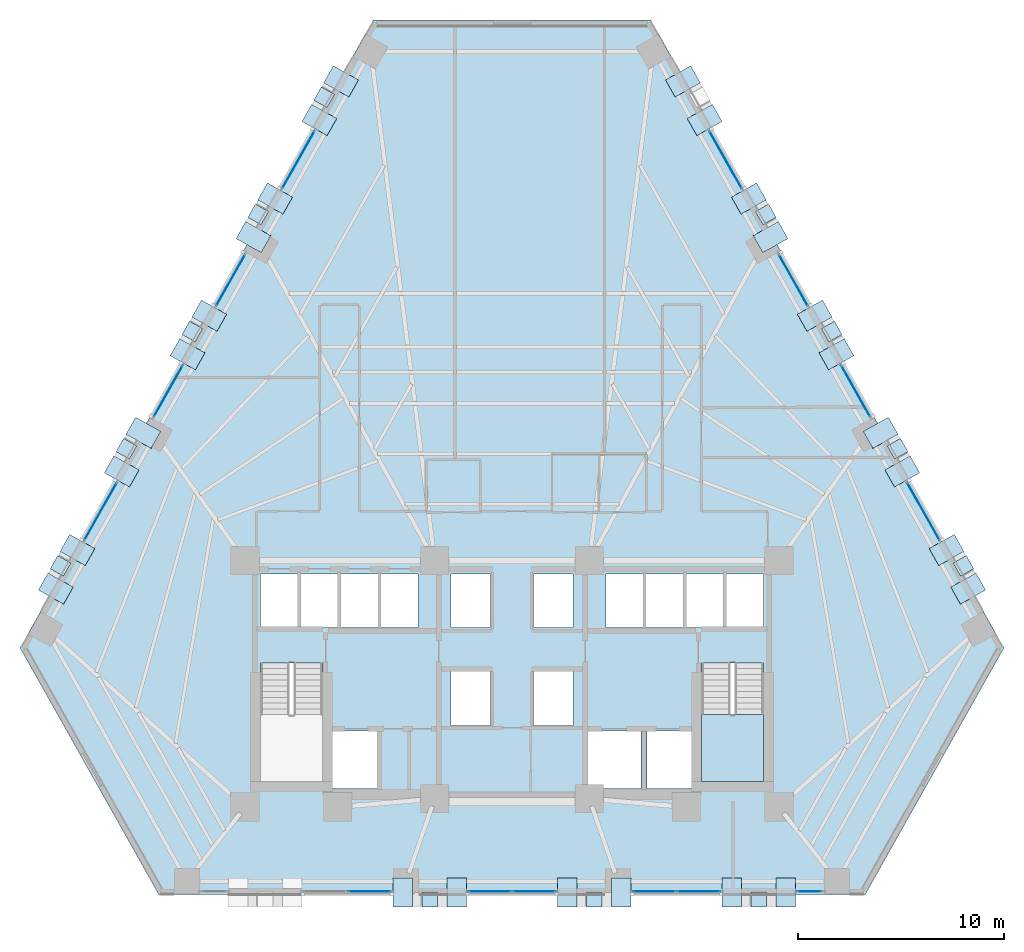
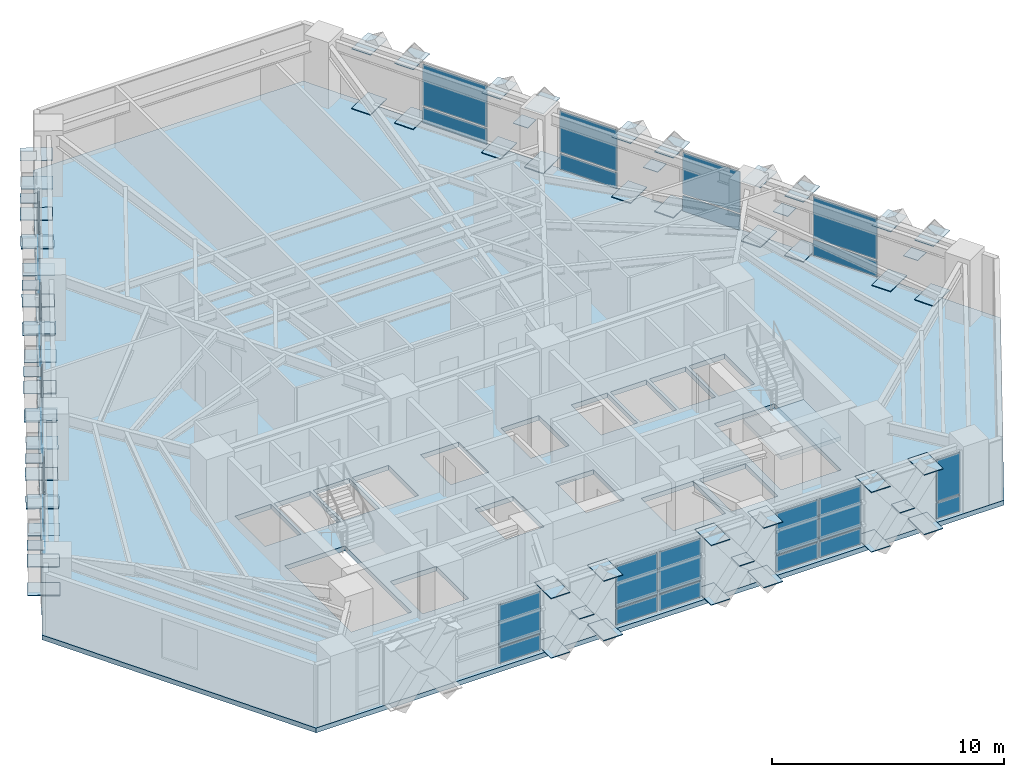
# One storey, part 6 of 13: 92 plates, 2 slabs, 13 elements without a shape of their own.
"""IFC4 building model written with IfcOpenShell, lengths in metres."""

import ifcopenshell
import ifcopenshell.guid

model = None  # the IFC model being written
_history = None  # IfcOwnerHistory: only IFC2X3 demands one
_inside = {}  # id of a spatial element -> (the spatial element, [elements in it])
_under = {}  # id of a project, library or spatial element -> (it, [spatial elements below it])
_declared = {}  # id of a project -> (the project, [libraries it declares])
_typed = {}  # id of a type object -> (the type object, [elements of that type])
_made_of = {}  # id of a material, layer set ... -> (it, [elements and type objects made of it])


def new_model(schema):
    """Start an empty IFC model of exactly this schema.

    Asked for "IFC4X3", IfcOpenShell would pick the latest addendum, in which some entities
    have other attributes; the version numbers below select the first issue.
    IFC2X3 requires an IfcOwnerHistory on every rooted entity: one is made here for all.
    """
    global model, _history
    if schema == "IFC4X3":
        model = ifcopenshell.file(schema_version=(4, 3, 0, 0))
    else:
        model = ifcopenshell.file(schema=schema)
    _inside.clear()
    _under.clear()
    _declared.clear()
    _typed.clear()
    _made_of.clear()
    _history = None
    if model.schema == "IFC2X3":
        org = make("IfcOrganization", Name="unknown")
        user = make(
            "IfcPersonAndOrganization",
            ThePerson=make("IfcPerson", FamilyName="unknown"),
            TheOrganization=org,
        )
        app = make(
            "IfcApplication",
            ApplicationDeveloper=org,
            Version="unknown",
            ApplicationFullName="unknown",
            ApplicationIdentifier="unknown",
        )
        _history = make(
            "IfcOwnerHistory",
            OwningUser=user,
            OwningApplication=app,
            ChangeAction="ADDED",
            CreationDate=0,
        )
    return model


def make(cls, **values):
    """One entity of the class cls with the attributes given. An attribute that is None is left unset."""
    return model.create_entity(
        cls, **{name: value for name, value in values.items() if value is not None}
    )


def rooted(cls, **values):
    """An entity with a GlobalId (a new one), such as an element, a storey or a relation."""
    return make(cls, GlobalId=ifcopenshell.guid.new(), OwnerHistory=_history, **values)


def si_unit(unit_type, name, prefix=None):
    """IfcSIUnit, for example si_unit("LENGTHUNIT", "METRE", prefix="MILLI")."""
    return make("IfcSIUnit", UnitType=unit_type, Prefix=prefix, Name=name)


def assignment(units):
    """IfcUnitAssignment: the units of a project."""
    return None if units is None else make("IfcUnitAssignment", Units=units)


def point(xyz):
    """IfcCartesianPoint."""
    return None if xyz is None else make("IfcCartesianPoint", Coordinates=xyz)


def direction(xyz):
    """IfcDirection."""
    return None if xyz is None else make("IfcDirection", DirectionRatios=xyz)


def frame(location, z_axis=None, x_axis=None):
    """IfcAxis2Placement3D, a coordinate frame: its origin and axes. An axis left out is left unset."""
    return make(
        "IfcAxis2Placement3D",
        Location=point(location),
        Axis=direction(z_axis),
        RefDirection=direction(x_axis),
    )


def frame_2d(location, x_axis=None):
    """IfcAxis2Placement2D, a coordinate frame in the plane: its origin and x axis."""
    return make(
        "IfcAxis2Placement2D", Location=point(location), RefDirection=direction(x_axis)
    )


def origin():
    """The frame at (0, 0, 0) with its axes left unset."""
    return frame((0.0, 0.0, 0.0))


def origin_2d():
    """The frame at (0, 0) in the plane with its x axis left unset."""
    return frame_2d((0.0, 0.0))


def place(relative_to, where):
    """IfcLocalPlacement: puts the frame where relative to a parent placement (None: the world)."""
    return make(
        "IfcLocalPlacement", PlacementRelTo=relative_to, RelativePlacement=where
    )


def context(
    kind, dimensions, precision=None, world=None, true_north=None, identifier=None
):
    """IfcGeometricRepresentationContext, for example the 3D "Model" context."""
    return make(
        "IfcGeometricRepresentationContext",
        ContextIdentifier=identifier,
        ContextType=kind,
        CoordinateSpaceDimension=dimensions,
        Precision=precision,
        WorldCoordinateSystem=world,
        TrueNorth=true_north,
    )


def subcontext(parent, identifier, kind, view, scale=None):
    """IfcGeometricRepresentationSubContext, for example "Body" below "Model"."""
    return make(
        "IfcGeometricRepresentationSubContext",
        ContextIdentifier=identifier,
        ContextType=kind,
        ParentContext=parent,
        TargetScale=scale,
        TargetView=view,
    )


def project(units=None, contexts=None):
    """IfcProject with its units and contexts."""
    return rooted(
        "IfcProject",
        Name="project",
        RepresentationContexts=contexts,
        UnitsInContext=assignment(units),
    )


def spatial(cls, under=None, at=None, **own):
    """A site, building, storey or space (cls), placed at a placement, below another one or the project."""
    s = rooted(cls, ObjectPlacement=at, **own)
    if under is not None:
        _under.setdefault(under.id(), (under, []))[1].append(s)
    return s


def polyline(points):
    """IfcPolyline through the points."""
    return make("IfcPolyline", Points=[point(p) for p in points])


def profile(cls, at=None, kind="AREA", **sizes):
    """A parametric profile (cls). Its sizes go by their IFC names, for example OverallWidth=200.0."""
    return make(cls, ProfileType=kind, Position=at, **sizes)


def rectangle(**sizes):
    """IfcRectangleProfileDef."""
    return profile("IfcRectangleProfileDef", **sizes)


def outline(outer, holes=None, kind="AREA"):
    """IfcArbitraryClosedProfileDef: a profile drawn as a closed curve; with holes, ...WithVoids."""
    if holes is None:
        return make("IfcArbitraryClosedProfileDef", ProfileType=kind, OuterCurve=outer)
    return make(
        "IfcArbitraryProfileDefWithVoids",
        ProfileType=kind,
        OuterCurve=outer,
        InnerCurves=holes,
    )


def extrude(swept, where, along, depth):
    """IfcExtrudedAreaSolid: the profile swept, set in the frame where, extruded along a direction by depth."""
    return make(
        "IfcExtrudedAreaSolid",
        SweptArea=swept,
        Position=where,
        ExtrudedDirection=direction(along),
        Depth=depth,
    )


def shape(context_of_items, identifier, shape_type, items):
    """IfcShapeRepresentation: the items that make up one representation, for example the "Body"."""
    return make(
        "IfcShapeRepresentation",
        ContextOfItems=context_of_items,
        RepresentationIdentifier=identifier,
        RepresentationType=shape_type,
        Items=items,
    )


def material(Name=None, Category=None):
    """IfcMaterial."""
    return make("IfcMaterial", Name=Name, Category=Category)


def layer(
    of_material, thickness, ventilated=None, Name=None, Category=None, Priority=None
):
    """IfcMaterialLayer: one layer of a wall or slab, of a material (None: an air gap)."""
    return make(
        "IfcMaterialLayer",
        Material=of_material,
        LayerThickness=thickness,
        IsVentilated=ventilated,
        Name=Name,
        Category=Category,
        Priority=Priority,
    )


def layer_set(layers, Name=None):
    """IfcMaterialLayerSet."""
    return make("IfcMaterialLayerSet", MaterialLayers=layers, LayerSetName=Name)


def made_of(thing, what):
    """Note that an element or type object is made of a material, layer set ...; save() writes the relation."""
    if what is not None:
        _made_of.setdefault(what.id(), (what, []))[1].append(thing)
    return thing


def type_object(cls, material=None, **own):
    """A type object (cls), such as IfcWallType, which elements share."""
    return made_of(rooted(cls, **own), material)


def element(
    cls,
    number,
    at=None,
    inside=None,
    cuts=None,
    type_object=None,
    material=None,
    context=None,
    identifier="Body",
    shape_type=None,
    held_by="IfcProductDefinitionShape",
    body=None,
    shapes=None,
    **own,
):
    """One element of the class cls, such as IfcWall. Its Tag is "e" and its number.

    at: its placement. inside: the storey or other place that contains it. cuts: it is an
    opening in that element (IfcRelVoidsElement). A single representation is given by context,
    identifier, shape_type and body (its items); several are given by shapes. held_by: the class
    of the entity that holds the representations. save() writes the other relations.
    """
    e = rooted(cls, Tag="e%d" % number, ObjectPlacement=at, **own)
    if body is not None:
        shapes = [shape(context, identifier, shape_type, body)]
    if shapes is not None:
        e.Representation = make(held_by, Representations=shapes)
    if inside is not None:
        _inside.setdefault(inside.id(), (inside, []))[1].append(e)
    if cuts is not None:
        rooted(
            "IfcRelVoidsElement", RelatingBuildingElement=cuts, RelatedOpeningElement=e
        )
    if type_object is not None:
        _typed.setdefault(type_object.id(), (type_object, []))[1].append(e)
    return made_of(e, material)


def aggregate(whole, parts):
    """IfcRelAggregates: a whole, such as a stair, and the parts it consists of."""
    return rooted("IfcRelAggregates", RelatingObject=whole, RelatedObjects=parts)


def save(model, path):
    """Write the relations noted so far, then the file.

    IfcRelAggregates (storeys below a building ...), IfcRelContainedInSpatialStructure (elements
    in a storey), IfcRelDefinesByType, IfcRelAssociatesMaterial and IfcRelDeclares: one each for
    every whole, place, type object, material and project.
    """
    for whole, parts in _under.values():
        aggregate(whole, parts)
    for where, things in _inside.values():
        rooted(
            "IfcRelContainedInSpatialStructure",
            RelatedElements=things,
            RelatingStructure=where,
        )
    for kind, things in _typed.values():
        rooted("IfcRelDefinesByType", RelatedObjects=things, RelatingType=kind)
    for what, things in _made_of.values():
        rooted("IfcRelAssociatesMaterial", RelatedObjects=things, RelatingMaterial=what)
    for by, libraries in _declared.values():
        rooted("IfcRelDeclares", RelatingContext=by, RelatedDefinitions=libraries)
    model.write(path)


model = new_model("IFC4")

# Units and contexts
model_context = context("Model", 3, precision=1e-05, world=origin(), true_north=direction((0.0, 1.0)))
body_context = subcontext(model_context, "Body", "Model", "MODEL_VIEW")
ifc_project = project(units=[si_unit("LENGTHUNIT", "METRE"), si_unit("AREAUNIT", "SQUARE_METRE"), si_unit("VOLUMEUNIT", "CUBIC_METRE"), si_unit("PLANEANGLEUNIT", "RADIAN"), si_unit("MASSUNIT", "GRAM", prefix="KILO")], contexts=[model_context])

# Site, building, storey
site_placement = place(None, origin())
site = spatial("IfcSite", under=ifc_project, at=site_placement, CompositionType="ELEMENT")
building_placement = place(site_placement, origin())
building = spatial("IfcBuilding", under=site, at=building_placement, Name="Quenlor Broadcast Tower", CompositionType="ELEMENT")
storey_placement = place(building_placement, frame((0.0, 0.0, 62.60009765625)))
storey = spatial("IfcBuildingStorey", under=building, at=storey_placement, Name="L16", CompositionType="ELEMENT", Elevation=62.60009765625)

# Curtain wall, plates
ifc_material_1 = material(Name="Architectural Terracotta and Low-E Glazing", Category="masonry")
curtain_wall_type = type_object("IfcCurtainWallType", Name="Unitised Terracotta Curtain Wall System Z1", PredefinedType="NOTDEFINED", material=ifc_material_1)
curtain_wall_1_placement = place(storey_placement, origin())
curtain_wall_1 = element("IfcCurtainWall", 1, at=curtain_wall_1_placement, inside=storey, type_object=curtain_wall_type, Name="L16 Curtain Wall CW1 (L16-SA-G1)", PredefinedType="NOTDEFINED")
ifc_material_2 = material(Name="Double Glazed Low-E Solar Glass", Category="glass")
ifc_layer_1 = layer(ifc_material_2, 0.031982421875)
ifc_layer_set_1 = layer_set([ifc_layer_1], Name="CW1 Double Glazed Vision Panel 32")
plate_type_1 = type_object("IfcPlateType", Name="CW1 Double Glazed Vision Panel 32", PredefinedType="CURTAIN_PANEL", material=ifc_layer_set_1)
plate_1_placement = place(storey_placement, frame((14.44091796875, -20.840087890625, 0.079833984375), z_axis=(0.0, 0.0, 1.0), x_axis=(-1.0, 0.0, 0.0)))
plate_1 = element("IfcPlate", 2, at=plate_1_placement, type_object=plate_type_1, Name="CW1 panel 1.1", PredefinedType="CURTAIN_PANEL", context=body_context, shape_type="SweptSolid", body=[
    extrude(rectangle(XDim=1.188232421875, YDim=0.031982421875, at=origin_2d()), origin(), (0.0, 0.0, 1.0), 0.830078125),
])
plate_2_placement = place(storey_placement, frame((14.44091796875, -20.840087890625, 0.98974609375), z_axis=(0.0, 0.0, 1.0), x_axis=(-1.0, 0.0, 0.0)))
plate_2 = element("IfcPlate", 3, at=plate_2_placement, type_object=plate_type_1, Name="CW1 panel 1.2", PredefinedType="CURTAIN_PANEL", context=body_context, shape_type="SweptSolid", body=[
    extrude(rectangle(XDim=1.188232421875, YDim=0.031982421875, at=origin_2d()), origin(), (0.0, 0.0, 1.0), 2.179931640625),
])
aggregate(curtain_wall_1, [plate_1, plate_2])

curtain_wall_2_placement = place(storey_placement, origin())
curtain_wall_2 = element("IfcCurtainWall", 4, at=curtain_wall_2_placement, inside=storey, type_object=curtain_wall_type, Name="L16 Curtain Wall CW1 (L16-SA-G2)", PredefinedType="NOTDEFINED")
plate_3_placement = place(storey_placement, frame((9.058837890625, -20.840087890625, 0.079833984375), z_axis=(0.0, 0.0, 1.0), x_axis=(-1.0, 0.0, 0.0)))
plate_3 = element("IfcPlate", 5, at=plate_3_placement, type_object=plate_type_1, Name="CW1 panel 1.1", PredefinedType="CURTAIN_PANEL", context=body_context, shape_type="SweptSolid", body=[
    extrude(rectangle(XDim=2.072021484375, YDim=0.031982421875, at=origin_2d()), origin(), (0.0, 0.0, 1.0), 0.830078125),
])
plate_4_placement = place(storey_placement, frame((9.058837890625, -20.840087890625, 0.98974609375), z_axis=(0.0, 0.0, 1.0), x_axis=(-1.0, 0.0, 0.0)))
plate_4 = element("IfcPlate", 6, at=plate_4_placement, type_object=plate_type_1, Name="CW1 panel 1.2", PredefinedType="CURTAIN_PANEL", context=body_context, shape_type="SweptSolid", body=[
    extrude(rectangle(XDim=2.072021484375, YDim=0.031982421875, at=origin_2d()), origin(), (0.0, 0.0, 1.0), 2.179931640625),
])
plate_5_placement = place(storey_placement, frame((6.90673828125, -20.840087890625, 0.079833984375), z_axis=(0.0, 0.0, 1.0), x_axis=(-1.0, 0.0, 0.0)))
plate_5 = element("IfcPlate", 7, at=plate_5_placement, type_object=plate_type_1, Name="CW1 panel 2.1", PredefinedType="CURTAIN_PANEL", context=body_context, shape_type="SweptSolid", body=[
    extrude(rectangle(XDim=2.072021484375, YDim=0.031982421875, at=origin_2d()), origin(), (0.0, 0.0, 1.0), 0.830078125),
])
plate_6_placement = place(storey_placement, frame((6.90673828125, -20.840087890625, 0.98974609375), z_axis=(0.0, 0.0, 1.0), x_axis=(-1.0, 0.0, 0.0)))
plate_6 = element("IfcPlate", 8, at=plate_6_placement, type_object=plate_type_1, Name="CW1 panel 2.2", PredefinedType="CURTAIN_PANEL", context=body_context, shape_type="SweptSolid", body=[
    extrude(rectangle(XDim=2.072021484375, YDim=0.031982421875, at=origin_2d()), origin(), (0.0, 0.0, 1.0), 2.179931640625),
])
aggregate(curtain_wall_2, [plate_3, plate_4, plate_5, plate_6])

curtain_wall_3_placement = place(storey_placement, origin())
curtain_wall_3 = element("IfcCurtainWall", 9, at=curtain_wall_3_placement, inside=storey, type_object=curtain_wall_type, Name="L16 Curtain Wall CW1 (L16-SC-G1)", PredefinedType="NOTDEFINED")
plate_7_placement = place(storey_placement, frame((-6.90673828125, -20.840087890625, 0.079833984375), z_axis=(0.0, 0.0, 1.0), x_axis=(-1.0, 0.0, 0.0)))
plate_7 = element("IfcPlate", 10, at=plate_7_placement, type_object=plate_type_1, Name="CW1 panel 1.1", PredefinedType="CURTAIN_PANEL", context=body_context, shape_type="SweptSolid", body=[
    extrude(rectangle(XDim=2.072021484375, YDim=0.031982421875, at=origin_2d()), origin(), (0.0, 0.0, 1.0), 0.830078125),
])
plate_8_placement = place(storey_placement, frame((-6.90673828125, -20.840087890625, 0.98974609375), z_axis=(0.0, 0.0, 1.0), x_axis=(-1.0, 0.0, 0.0)))
plate_8 = element("IfcPlate", 11, at=plate_8_placement, type_object=plate_type_1, Name="CW1 panel 1.2", PredefinedType="CURTAIN_PANEL", context=body_context, shape_type="SweptSolid", body=[
    extrude(rectangle(XDim=2.072021484375, YDim=0.031982421875, at=origin_2d()), origin(), (0.0, 0.0, 1.0), 2.179931640625),
])
aggregate(curtain_wall_3, [plate_7, plate_8])

curtain_wall_4_placement = place(storey_placement, origin())
curtain_wall_4 = element("IfcCurtainWall", 12, at=curtain_wall_4_placement, inside=storey, type_object=curtain_wall_type, Name="L16 Curtain Wall CW1 (L16-S-G1)", PredefinedType="NOTDEFINED")
plate_9_placement = place(storey_placement, frame((1.0771484375, -20.840087890625, 0.079833984375), z_axis=(0.0, 0.0, 1.0), x_axis=(-1.0, 0.0, 0.0)))
plate_9 = element("IfcPlate", 13, at=plate_9_placement, type_object=plate_type_1, Name="CW1 panel 1.1", PredefinedType="CURTAIN_PANEL", context=body_context, shape_type="SweptSolid", body=[
    extrude(rectangle(XDim=2.07421875, YDim=0.031982421875, at=origin_2d()), origin(), (0.0, 0.0, 1.0), 0.830078125),
])
plate_10_placement = place(storey_placement, frame((1.0771484375, -20.840087890625, 0.98974609375), z_axis=(0.0, 0.0, 1.0), x_axis=(-1.0, 0.0, 0.0)))
plate_10 = element("IfcPlate", 14, at=plate_10_placement, type_object=plate_type_1, Name="CW1 panel 1.2", PredefinedType="CURTAIN_PANEL", context=body_context, shape_type="SweptSolid", body=[
    extrude(rectangle(XDim=2.07421875, YDim=0.031982421875, at=origin_2d()), origin(), (0.0, 0.0, 1.0), 2.179931640625),
])
plate_11_placement = place(storey_placement, frame((-1.0771484375, -20.840087890625, 0.079833984375), z_axis=(0.0, 0.0, 1.0), x_axis=(-1.0, 0.0, 0.0)))
plate_11 = element("IfcPlate", 15, at=plate_11_placement, type_object=plate_type_1, Name="CW1 panel 2.1", PredefinedType="CURTAIN_PANEL", context=body_context, shape_type="SweptSolid", body=[
    extrude(rectangle(XDim=2.07421875, YDim=0.031982421875, at=origin_2d()), origin(), (0.0, 0.0, 1.0), 0.830078125),
])
plate_12_placement = place(storey_placement, frame((-1.0771484375, -20.840087890625, 0.98974609375), z_axis=(0.0, 0.0, 1.0), x_axis=(-1.0, 0.0, 0.0)))
plate_12 = element("IfcPlate", 16, at=plate_12_placement, type_object=plate_type_1, Name="CW1 panel 2.2", PredefinedType="CURTAIN_PANEL", context=body_context, shape_type="SweptSolid", body=[
    extrude(rectangle(XDim=2.07421875, YDim=0.031982421875, at=origin_2d()), origin(), (0.0, 0.0, 1.0), 2.179931640625),
])
aggregate(curtain_wall_4, [plate_9, plate_10, plate_11, plate_12])

curtain_wall_5_placement = place(storey_placement, origin())
curtain_wall_5 = element("IfcCurtainWall", 17, at=curtain_wall_5_placement, inside=storey, type_object=curtain_wall_type, Name="L16 Curtain Wall CW1 (L16-NEA-G1)", PredefinedType="NOTDEFINED")
plate_13_placement = place(storey_placement, frame((10.365234375, 14.646240234375, 0.079833984375), z_axis=(0.0, 0.0, 1.0), x_axis=(0.49024438836, -0.871585015751, 0.0)))
plate_13 = element("IfcPlate", 18, at=plate_13_placement, type_object=plate_type_1, Name="CW1 panel 1.1", PredefinedType="CURTAIN_PANEL", context=body_context, shape_type="SweptSolid", body=[
    extrude(rectangle(XDim=3.220947265625, YDim=0.031982421875, at=origin_2d()), origin(), (0.0, 0.0, 1.0), 0.830078125),
])
plate_14_placement = place(storey_placement, frame((10.365234375, 14.646240234375, 0.98974609375), z_axis=(0.0, 0.0, 1.0), x_axis=(0.49024438836, -0.871585015751, 0.0)))
plate_14 = element("IfcPlate", 19, at=plate_14_placement, type_object=plate_type_1, Name="CW1 panel 1.2", PredefinedType="CURTAIN_PANEL", context=body_context, shape_type="SweptSolid", body=[
    extrude(rectangle(XDim=3.220947265625, YDim=0.031982421875, at=origin_2d()), origin(), (0.0, 0.0, 1.0), 2.179931640625),
])
aggregate(curtain_wall_5, [plate_13, plate_14])

curtain_wall_6_placement = place(storey_placement, origin())
curtain_wall_6 = element("IfcCurtainWall", 20, at=curtain_wall_6_placement, inside=storey, type_object=curtain_wall_type, Name="L16 Curtain Wall CW1 (L16-NEC-G1)", PredefinedType="NOTDEFINED")
plate_15_placement = place(storey_placement, frame((19.95556640625, -2.403076171875, 0.079833984375), z_axis=(0.0, 0.0, 1.0), x_axis=(0.49025702672, -0.871577906875, 0.0)))
plate_15 = element("IfcPlate", 21, at=plate_15_placement, type_object=plate_type_1, Name="CW1 panel 1.1", PredefinedType="CURTAIN_PANEL", context=body_context, shape_type="SweptSolid", body=[
    extrude(rectangle(XDim=3.220947265625, YDim=0.031982421875, at=origin_2d()), origin(), (0.0, 0.0, 1.0), 0.830078125),
])
plate_16_placement = place(storey_placement, frame((19.95556640625, -2.403076171875, 0.98974609375), z_axis=(0.0, 0.0, 1.0), x_axis=(0.49025702672, -0.871577906875, 0.0)))
plate_16 = element("IfcPlate", 22, at=plate_16_placement, type_object=plate_type_1, Name="CW1 panel 1.2", PredefinedType="CURTAIN_PANEL", context=body_context, shape_type="SweptSolid", body=[
    extrude(rectangle(XDim=3.220947265625, YDim=0.031982421875, at=origin_2d()), origin(), (0.0, 0.0, 1.0), 2.179931640625),
])
aggregate(curtain_wall_6, [plate_15, plate_16])

curtain_wall_7_placement = place(storey_placement, origin())
curtain_wall_7 = element("IfcCurtainWall", 23, at=curtain_wall_7_placement, inside=storey, type_object=curtain_wall_type, Name="L16 Curtain Wall CW1 (L16-NE-G1)", PredefinedType="NOTDEFINED")
plate_17_placement = place(storey_placement, frame((13.648681640625, 8.809326171875, 0.079833984375), z_axis=(0.0, 0.0, 1.0), x_axis=(0.490273782815, -0.871568481465, 0.0)))
plate_17 = element("IfcPlate", 24, at=plate_17_placement, type_object=plate_type_1, Name="CW1 panel 1.1", PredefinedType="CURTAIN_PANEL", context=body_context, shape_type="SweptSolid", body=[
    extrude(rectangle(XDim=2.8681640625, YDim=0.031982421875, at=origin_2d()), origin(), (0.0, 0.0, 1.0), 0.830078125),
])
plate_18_placement = place(storey_placement, frame((13.648681640625, 8.809326171875, 0.98974609375), z_axis=(0.0, 0.0, 1.0), x_axis=(0.490273782815, -0.871568481465, 0.0)))
plate_18 = element("IfcPlate", 25, at=plate_18_placement, type_object=plate_type_1, Name="CW1 panel 1.2", PredefinedType="CURTAIN_PANEL", context=body_context, shape_type="SweptSolid", body=[
    extrude(rectangle(XDim=2.8681640625, YDim=0.031982421875, at=origin_2d()), origin(), (0.0, 0.0, 1.0), 2.179931640625),
])
aggregate(curtain_wall_7, [plate_17, plate_18])

curtain_wall_8_placement = place(storey_placement, origin())
curtain_wall_8 = element("IfcCurtainWall", 26, at=curtain_wall_8_placement, inside=storey, type_object=curtain_wall_type, Name="L16 Curtain Wall CW1 (L16-NE-G2)", PredefinedType="NOTDEFINED")
plate_19_placement = place(storey_placement, frame((16.67236328125, 3.433837890625, 0.079833984375), z_axis=(0.0, 0.0, 1.0), x_axis=(0.490273782815, -0.871568481465, 0.0)))
plate_19 = element("IfcPlate", 27, at=plate_19_placement, type_object=plate_type_1, Name="CW1 panel 1.1", PredefinedType="CURTAIN_PANEL", context=body_context, shape_type="SweptSolid", body=[
    extrude(rectangle(XDim=2.8681640625, YDim=0.031982421875, at=origin_2d()), origin(), (0.0, 0.0, 1.0), 0.830078125),
])
plate_20_placement = place(storey_placement, frame((16.67236328125, 3.433837890625, 0.98974609375), z_axis=(0.0, 0.0, 1.0), x_axis=(0.490273782815, -0.871568481465, 0.0)))
plate_20 = element("IfcPlate", 28, at=plate_20_placement, type_object=plate_type_1, Name="CW1 panel 1.2", PredefinedType="CURTAIN_PANEL", context=body_context, shape_type="SweptSolid", body=[
    extrude(rectangle(XDim=2.8681640625, YDim=0.031982421875, at=origin_2d()), origin(), (0.0, 0.0, 1.0), 2.179931640625),
])
aggregate(curtain_wall_8, [plate_19, plate_20])

curtain_wall_9_placement = place(storey_placement, origin())
curtain_wall_9 = element("IfcCurtainWall", 29, at=curtain_wall_9_placement, inside=storey, type_object=curtain_wall_type, Name="L16 Curtain Wall CW1 (L16-NWA-G1)", PredefinedType="NOTDEFINED")
plate_21_placement = place(storey_placement, frame((-19.95556640625, -2.403076171875, 0.079833984375), z_axis=(0.0, 0.0, 1.0), x_axis=(0.49025702672, 0.871577906875, 0.0)))
plate_21 = element("IfcPlate", 30, at=plate_21_placement, type_object=plate_type_1, Name="CW1 panel 1.1", PredefinedType="CURTAIN_PANEL", context=body_context, shape_type="SweptSolid", body=[
    extrude(rectangle(XDim=3.220947265625, YDim=0.031982421875, at=origin_2d()), origin(), (0.0, 0.0, 1.0), 0.830078125),
])
plate_22_placement = place(storey_placement, frame((-19.95556640625, -2.403076171875, 0.98974609375), z_axis=(0.0, 0.0, 1.0), x_axis=(0.49025702672, 0.871577906875, 0.0)))
plate_22 = element("IfcPlate", 31, at=plate_22_placement, type_object=plate_type_1, Name="CW1 panel 1.2", PredefinedType="CURTAIN_PANEL", context=body_context, shape_type="SweptSolid", body=[
    extrude(rectangle(XDim=3.220947265625, YDim=0.031982421875, at=origin_2d()), origin(), (0.0, 0.0, 1.0), 2.179931640625),
])
aggregate(curtain_wall_9, [plate_21, plate_22])

curtain_wall_10_placement = place(storey_placement, origin())
curtain_wall_10 = element("IfcCurtainWall", 32, at=curtain_wall_10_placement, inside=storey, type_object=curtain_wall_type, Name="L16 Curtain Wall CW1 (L16-NWC-G1)", PredefinedType="NOTDEFINED")
plate_23_placement = place(storey_placement, frame((-10.365234375, 14.646240234375, 0.079833984375), z_axis=(0.0, 0.0, 1.0), x_axis=(0.49024438836, 0.871585015751, 0.0)))
plate_23 = element("IfcPlate", 33, at=plate_23_placement, type_object=plate_type_1, Name="CW1 panel 1.1", PredefinedType="CURTAIN_PANEL", context=body_context, shape_type="SweptSolid", body=[
    extrude(rectangle(XDim=3.220947265625, YDim=0.031982421875, at=origin_2d()), origin(), (0.0, 0.0, 1.0), 0.830078125),
])
plate_24_placement = place(storey_placement, frame((-10.365234375, 14.646240234375, 0.98974609375), z_axis=(0.0, 0.0, 1.0), x_axis=(0.49024438836, 0.871585015751, 0.0)))
plate_24 = element("IfcPlate", 34, at=plate_24_placement, type_object=plate_type_1, Name="CW1 panel 1.2", PredefinedType="CURTAIN_PANEL", context=body_context, shape_type="SweptSolid", body=[
    extrude(rectangle(XDim=3.220947265625, YDim=0.031982421875, at=origin_2d()), origin(), (0.0, 0.0, 1.0), 2.179931640625),
])
aggregate(curtain_wall_10, [plate_23, plate_24])

curtain_wall_11_placement = place(storey_placement, origin())
curtain_wall_11 = element("IfcCurtainWall", 35, at=curtain_wall_11_placement, inside=storey, type_object=curtain_wall_type, Name="L16 Curtain Wall CW1 (L16-NW-G1)", PredefinedType="NOTDEFINED")
plate_25_placement = place(storey_placement, frame((-16.67236328125, 3.433837890625, 0.079833984375), z_axis=(0.0, 0.0, 1.0), x_axis=(0.490273782815, 0.871568481465, 0.0)))
plate_25 = element("IfcPlate", 36, at=plate_25_placement, type_object=plate_type_1, Name="CW1 panel 1.1", PredefinedType="CURTAIN_PANEL", context=body_context, shape_type="SweptSolid", body=[
    extrude(rectangle(XDim=2.8681640625, YDim=0.031982421875, at=origin_2d()), origin(), (0.0, 0.0, 1.0), 0.830078125),
])
plate_26_placement = place(storey_placement, frame((-16.67236328125, 3.433837890625, 0.98974609375), z_axis=(0.0, 0.0, 1.0), x_axis=(0.490273782815, 0.871568481465, 0.0)))
plate_26 = element("IfcPlate", 37, at=plate_26_placement, type_object=plate_type_1, Name="CW1 panel 1.2", PredefinedType="CURTAIN_PANEL", context=body_context, shape_type="SweptSolid", body=[
    extrude(rectangle(XDim=2.8681640625, YDim=0.031982421875, at=origin_2d()), origin(), (0.0, 0.0, 1.0), 2.179931640625),
])
aggregate(curtain_wall_11, [plate_25, plate_26])

curtain_wall_12_placement = place(storey_placement, origin())
curtain_wall_12 = element("IfcCurtainWall", 38, at=curtain_wall_12_placement, inside=storey, type_object=curtain_wall_type, Name="L16 Curtain Wall CW1 (L16-NW-G2)", PredefinedType="NOTDEFINED")
plate_27_placement = place(storey_placement, frame((-13.648681640625, 8.809326171875, 0.079833984375), z_axis=(0.0, 0.0, 1.0), x_axis=(0.490273782815, 0.871568481465, 0.0)))
plate_27 = element("IfcPlate", 39, at=plate_27_placement, type_object=plate_type_1, Name="CW1 panel 1.1", PredefinedType="CURTAIN_PANEL", context=body_context, shape_type="SweptSolid", body=[
    extrude(rectangle(XDim=2.8681640625, YDim=0.031982421875, at=origin_2d()), origin(), (0.0, 0.0, 1.0), 0.830078125),
])
plate_28_placement = place(storey_placement, frame((-13.648681640625, 8.809326171875, 0.98974609375), z_axis=(0.0, 0.0, 1.0), x_axis=(0.490273782815, 0.871568481465, 0.0)))
plate_28 = element("IfcPlate", 40, at=plate_28_placement, type_object=plate_type_1, Name="CW1 panel 1.2", PredefinedType="CURTAIN_PANEL", context=body_context, shape_type="SweptSolid", body=[
    extrude(rectangle(XDim=2.8681640625, YDim=0.031982421875, at=origin_2d()), origin(), (0.0, 0.0, 1.0), 2.179931640625),
])
aggregate(curtain_wall_12, [plate_27, plate_28])

# Plates
ifc_material_3 = material(Name="Steel S355", Category="steel")
ifc_layer_2 = layer(ifc_material_3, 0.028076171875)
ifc_layer_set_2 = layer_set([ifc_layer_2], Name="Perimeter Lattice Node Steel S355 Cap Plate 740x740x28")
plate_type_2 = type_object("IfcPlateType", Name="Perimeter Lattice Node Steel S355 Cap Plate 740x740x28", PredefinedType="USERDEFINED", material=ifc_layer_set_2)
for number, where, z_axis, x_axis, name in (
    (41, (11.970703125, -21.235107421875, 1.61572265625), (0.0, 0.0, 1.0), (-1.0, 0.0, 0.0), "L16 Diamond Lattice Crossing Node S-C1"),
    (42, (3.990234375, -21.235107421875, 1.61572265625), (0.0, 0.0, 1.0), (-1.0, 0.0, 0.0), "L16 Diamond Lattice Crossing Node S-C2"),
    (43, (-3.990234375, -21.235107421875, 1.61572265625), (0.0, 0.0, 1.0), (-1.0, 0.0, 0.0), "L16 Diamond Lattice Crossing Node S-C3"),
    (44, (12.30810546875, 11.998291015625, 1.61572265625), (0.0, 0.0, 1.0), (0.490295412055, -0.871556314255, 0.0), "L16 Diamond Lattice Crossing Node NE-C2"),
    (45, (15.5048828125, 6.315185546875, 1.61572265625), (0.0, 0.0, 1.0), (0.490295412055, -0.871556314255, 0.0), "L16 Diamond Lattice Crossing Node NE-C3"),
    (46, (18.70166015625, 0.632080078125, 1.61572265625), (0.0, 0.0, 1.0), (0.490295412055, -0.871556314255, 0.0), "L16 Diamond Lattice Crossing Node NE-C4"),
    (47, (21.898193359375, -5.051025390625, 1.61572265625), (0.0, 0.0, 1.0), (0.490295412055, -0.871556314255, 0.0), "L16 Diamond Lattice Crossing Node NE-C5"),
    (48, (-21.898193359375, -5.051025390625, 1.61572265625), (0.0, 0.0, 1.0), (0.490295412055, 0.871556314255, 0.0), "L16 Diamond Lattice Crossing Node NW-C1"),
    (49, (-18.70166015625, 0.632080078125, 1.61572265625), (0.0, 0.0, 1.0), (0.490295412055, 0.871556314255, 0.0), "L16 Diamond Lattice Crossing Node NW-C2"),
    (50, (-15.5048828125, 6.315185546875, 1.61572265625), (0.0, 0.0, 1.0), (0.490295412055, 0.871556314255, 0.0), "L16 Diamond Lattice Crossing Node NW-C3"),
    (51, (-12.30810546875, 11.998291015625, 1.61572265625), (0.0, 0.0, 1.0), (0.490295412055, 0.871556314255, 0.0), "L16 Diamond Lattice Crossing Node NW-C4"),
    (52, (-9.111083984375, 17.681640625, 1.61572265625), (0.0, 0.0, 1.0), (0.490295412055, 0.871556314255, 0.0), "L16 Diamond Lattice Crossing Node NW-C5"),
):
    element("IfcPlate", number, at=place(storey_placement, frame(where, z_axis=z_axis, x_axis=x_axis)), inside=storey, type_object=plate_type_2, Name=name, ObjectType="CAP PLATE", PredefinedType="USERDEFINED", context=body_context, shape_type="SweptSolid", body=[
        extrude(rectangle(XDim=0.739990234375, YDim=0.739990234375, at=origin_2d()), origin(), (0.0, 0.0, 1.0), 0.028076171875),
    ])

# Stair, slab
ifc_material_4 = material(Name="Precast concrete C40/50", Category="concrete")
stair_type = type_object("IfcStairType", Name="Precast Concrete C40/50 Dogleg Stair H350", PredefinedType="HALF_TURN_STAIR", material=ifc_material_4)
stair_placement = place(storey_placement, origin())
stair = element("IfcStair", 53, at=stair_placement, inside=storey, type_object=stair_type, Name="L16 East Core Fire-Isolated Exit Stair ST-2", PredefinedType="HALF_TURN_STAIR")
ifc_material_5 = material(Name="Precast concrete C40/50", Category="concrete")
ifc_layer_3 = layer(ifc_material_5, 0.199951171875)
ifc_layer_set_3 = layer_set([ifc_layer_3], Name="Precast Concrete C40/50 Stair Landing Slab 200")
slab_type_1 = type_object("IfcSlabType", Name="Precast Concrete C40/50 Stair Landing Slab 200", PredefinedType="LANDING", material=ifc_layer_set_3)
slab_1_placement = place(storey_placement, frame((0.0, 0.0, 1.5498046875)))
slab_1 = element("IfcSlab", 54, at=slab_1_placement, type_object=slab_type_1, Name="ST-2 landing 1", PredefinedType="LANDING", context=body_context, shape_type="SweptSolid", body=[
    extrude(outline(polyline([(9.199951171875, -12.27001953125), (9.199951171875, -15.5), (12.199951171875, -15.5), (12.199951171875, -12.27001953125), (9.199951171875, -12.27001953125)])), origin(), (0.0, 0.0, 1.0), 0.2001953125),
])
aggregate(stair, [slab_1])

# Slab
ifc_material_6 = material(Name="Concrete C40/50", Category="concrete")
ifc_layer_4 = layer(ifc_material_6, 0.25)
ifc_layer_set_4 = layer_set([ifc_layer_4], Name="Tower Composite Concrete C40/50 Slab 250")
slab_type_2 = type_object("IfcSlabType", Name="Tower Composite Concrete C40/50 Slab 250", PredefinedType="FLOOR", material=ifc_layer_set_4)
slab_2_placement = place(storey_placement, frame((0.0, 0.0, -0.25)))
element("IfcSlab", 55, at=slab_2_placement, inside=storey, type_object=slab_type_2, Name="L16 Structural Floor Slab", PredefinedType="FLOOR", context=body_context, shape_type="SweptSolid", body=[
    extrude(outline(polyline([(17.135986328125, -21.0), (23.867919921875, -9.031982421875), (6.73193359375, 21.431884765625), (-6.73193359375, 21.431884765625), (-23.867919921875, -9.031982421875), (-17.135986328125, -21.0), (17.135986328125, -21.0)]), holes=[polyline([(-12.199951171875, -9.758056640625), (-12.199951171875, -15.5), (-9.199951171875, -15.5), (-9.199951171875, -9.758056640625), (-12.199951171875, -9.758056640625)]), polyline([(9.199951171875, -9.758056640625), (9.199951171875, -15.5), (12.199951171875, -15.5), (12.199951171875, -9.758056640625), (9.199951171875, -9.758056640625)]), polyline([(-12.199951171875, -8.050048828125), (-10.39990234375, -8.050048828125), (-10.39990234375, -5.449951171875), (-12.199951171875, -5.449951171875), (-12.199951171875, -8.050048828125)]), polyline([(-10.25, -8.050048828125), (-8.449951171875, -8.050048828125), (-8.449951171875, -5.449951171875), (-10.25, -5.449951171875), (-10.25, -8.050048828125)]), polyline([(-8.300048828125, -8.050048828125), (-6.5, -8.050048828125), (-6.5, -5.449951171875), (-8.300048828125, -5.449951171875), (-8.300048828125, -8.050048828125)]), polyline([(-6.35009765625, -8.050048828125), (-4.550048828125, -8.050048828125), (-4.550048828125, -5.449951171875), (-6.35009765625, -5.449951171875), (-6.35009765625, -8.050048828125)]), polyline([(-2.949951171875, -8.050048828125), (-1.050048828125, -8.050048828125), (-1.050048828125, -5.449951171875), (-2.949951171875, -5.449951171875), (-2.949951171875, -8.050048828125)]), polyline([(1.050048828125, -8.050048828125), (2.949951171875, -8.050048828125), (2.949951171875, -5.449951171875), (1.050048828125, -5.449951171875), (1.050048828125, -8.050048828125)]), polyline([(-2.949951171875, -12.800048828125), (-1.050048828125, -12.800048828125), (-1.050048828125, -10.14990234375), (-2.949951171875, -10.14990234375), (-2.949951171875, -12.800048828125)]), polyline([(1.050048828125, -12.800048828125), (2.949951171875, -12.800048828125), (2.949951171875, -10.14990234375), (1.050048828125, -10.14990234375), (1.050048828125, -12.800048828125)]), polyline([(4.550048828125, -8.050048828125), (6.35009765625, -8.050048828125), (6.35009765625, -5.449951171875), (4.550048828125, -5.449951171875), (4.550048828125, -8.050048828125)]), polyline([(6.5, -8.050048828125), (8.300048828125, -8.050048828125), (8.300048828125, -5.449951171875), (6.5, -5.449951171875), (6.5, -8.050048828125)]), polyline([(8.449951171875, -8.050048828125), (10.25, -8.050048828125), (10.25, -5.449951171875), (8.449951171875, -5.449951171875), (8.449951171875, -8.050048828125)]), polyline([(10.39990234375, -8.050048828125), (12.199951171875, -8.050048828125), (12.199951171875, -5.449951171875), (10.39990234375, -5.449951171875), (10.39990234375, -8.050048828125)]), polyline([(-8.85009765625, -15.85009765625), (-6.550048828125, -15.85009765625), (-6.550048828125, -13.050048828125), (-8.85009765625, -13.050048828125), (-8.85009765625, -15.85009765625)]), polyline([(6.550048828125, -15.85009765625), (8.85009765625, -15.85009765625), (8.85009765625, -13.050048828125), (6.550048828125, -13.050048828125), (6.550048828125, -15.85009765625)]), polyline([(3.64990234375, -15.85009765625), (6.25, -15.85009765625), (6.25, -13.050048828125), (3.64990234375, -13.050048828125), (3.64990234375, -15.85009765625)])]), origin(), (0.0, 0.0, 1.0), 0.25),
])

# Plates
ifc_material_7 = material(Name="Steel S355", Category="steel")
ifc_layer_5 = layer(ifc_material_7, 0.035888671875)
ifc_layer_set_5 = layer_set([ifc_layer_5], Name="Transfer Truss Steel S355 Gusset Node Plate 1400x950x36")
plate_type_3 = type_object("IfcPlateType", Name="Transfer Truss Steel S355 Gusset Node Plate 1400x950x36", PredefinedType="SHEET", material=ifc_layer_set_5)
for number, where, z_axis, x_axis, name in (
    (56, (13.284912109375, -20.89990234375, 0.0419921875), (0.0, 0.0, 1.0), (0.0, -1.0, 0.0), "L16 Lattice Tie Gusset Node S-B1"),
    (57, (10.656494140625, -20.89990234375, 3.18212890625), (0.0, 0.0, 1.0), (0.0, -1.0, 0.0), "L16 Lattice Tie Gusset Node S-T2"),
    (58, (10.656494140625, -20.89990234375, 0.0419921875), (0.0, 0.0, 1.0), (0.0, -1.0, 0.0), "L16 Lattice Tie Gusset Node S-B2"),
    (59, (13.284912109375, -20.89990234375, 3.18212890625), (0.0, 0.0, 1.0), (0.0, -1.0, 0.0), "L16 Lattice Tie Gusset Node S-T1"),
    (60, (5.304443359375, -20.89990234375, 0.0419921875), (0.0, 0.0, 1.0), (0.0, -1.0, 0.0), "L16 Lattice Tie Gusset Node S-B4"),
    (61, (2.676025390625, -20.89990234375, 3.18212890625), (0.0, 0.0, 1.0), (0.0, -1.0, 0.0), "L16 Lattice Tie Gusset Node S-T5"),
    (62, (2.676025390625, -20.89990234375, 0.0419921875), (0.0, 0.0, 1.0), (0.0, -1.0, 0.0), "L16 Lattice Tie Gusset Node S-B5"),
    (63, (5.304443359375, -20.89990234375, 3.18212890625), (0.0, 0.0, 1.0), (0.0, -1.0, 0.0), "L16 Lattice Tie Gusset Node S-T4"),
    (64, (-2.676025390625, -20.89990234375, 0.0419921875), (0.0, 0.0, 1.0), (0.0, -1.0, 0.0), "L16 Lattice Tie Gusset Node S-B7"),
    (65, (-5.304443359375, -20.89990234375, 3.18212890625), (0.0, 0.0, 1.0), (0.0, -1.0, 0.0), "L16 Lattice Tie Gusset Node S-T8"),
    (66, (-5.304443359375, -20.89990234375, 0.0419921875), (0.0, 0.0, 1.0), (0.0, -1.0, 0.0), "L16 Lattice Tie Gusset Node S-B8"),
    (67, (-2.676025390625, -20.89990234375, 3.18212890625), (0.0, 0.0, 1.0), (0.0, -1.0, 0.0), "L16 Lattice Tie Gusset Node S-T7"),
    (68, (8.292724609375, 18.453125, 0.0419921875), (0.0, 0.0, 1.0), (0.871556314255, 0.490295412055, 0.0), "L16 Lattice Tie Gusset Node NE-B1"),
    (69, (9.345703125, 16.58154296875, 3.18212890625), (0.0, 0.0, 1.0), (0.871556314255, 0.490295412055, 0.0), "L16 Lattice Tie Gusset Node NE-T2"),
    (70, (9.345703125, 16.58154296875, 0.0419921875), (0.0, 0.0, 1.0), (0.871556314255, 0.490295412055, 0.0), "L16 Lattice Tie Gusset Node NE-B2"),
    (71, (8.292724609375, 18.453125, 3.18212890625), (0.0, 0.0, 1.0), (0.871556314255, 0.490295412055, 0.0), "L16 Lattice Tie Gusset Node NE-T1"),
    (72, (11.489501953125, 12.77001953125, 0.0419921875), (0.0, 0.0, 1.0), (0.871556314255, 0.490295412055, 0.0), "L16 Lattice Tie Gusset Node NE-B4"),
    (73, (12.54248046875, 10.898193359375, 3.18212890625), (0.0, 0.0, 1.0), (0.871556314255, 0.490295412055, 0.0), "L16 Lattice Tie Gusset Node NE-T5"),
    (74, (12.54248046875, 10.898193359375, 0.0419921875), (0.0, 0.0, 1.0), (0.871556314255, 0.490295412055, 0.0), "L16 Lattice Tie Gusset Node NE-B5"),
    (75, (11.489501953125, 12.77001953125, 3.18212890625), (0.0, 0.0, 1.0), (0.871556314255, 0.490295412055, 0.0), "L16 Lattice Tie Gusset Node NE-T4"),
    (76, (14.686279296875, 7.0869140625, 0.0419921875), (0.0, 0.0, 1.0), (0.871556314255, 0.490295412055, 0.0), "L16 Lattice Tie Gusset Node NE-B7"),
    (77, (15.7392578125, 5.215087890625, 3.18212890625), (0.0, 0.0, 1.0), (0.871556314255, 0.490295412055, 0.0), "L16 Lattice Tie Gusset Node NE-T8"),
    (78, (15.7392578125, 5.215087890625, 0.0419921875), (0.0, 0.0, 1.0), (0.871556314255, 0.490295412055, 0.0), "L16 Lattice Tie Gusset Node NE-B8"),
    (79, (14.686279296875, 7.0869140625, 3.18212890625), (0.0, 0.0, 1.0), (0.871556314255, 0.490295412055, 0.0), "L16 Lattice Tie Gusset Node NE-T7"),
    (80, (17.88330078125, 1.40380859375, 0.0419921875), (0.0, 0.0, 1.0), (0.871556314255, 0.490295412055, 0.0), "L16 Lattice Tie Gusset Node NE-B10"),
    (81, (18.93603515625, -0.468017578125, 3.18212890625), (0.0, 0.0, 1.0), (0.871556314255, 0.490295412055, 0.0), "L16 Lattice Tie Gusset Node NE-T11"),
    (82, (18.93603515625, -0.468017578125, 0.0419921875), (0.0, 0.0, 1.0), (0.871556314255, 0.490295412055, 0.0), "L16 Lattice Tie Gusset Node NE-B11"),
    (83, (17.88330078125, 1.40380859375, 3.18212890625), (0.0, 0.0, 1.0), (0.871556314255, 0.490295412055, 0.0), "L16 Lattice Tie Gusset Node NE-T10"),
    (84, (21.079833984375, -4.279541015625, 0.0419921875), (0.0, 0.0, 1.0), (0.871556314255, 0.490295412055, 0.0), "L16 Lattice Tie Gusset Node NE-B13"),
    (85, (22.1328125, -6.151123046875, 3.18212890625), (0.0, 0.0, 1.0), (0.871556314255, 0.490295412055, 0.0), "L16 Lattice Tie Gusset Node NE-T14"),
    (86, (22.1328125, -6.151123046875, 0.0419921875), (0.0, 0.0, 1.0), (0.871556314255, 0.490295412055, 0.0), "L16 Lattice Tie Gusset Node NE-B14"),
    (87, (21.079833984375, -4.279541015625, 3.18212890625), (0.0, 0.0, 1.0), (0.871556314255, 0.490295412055, 0.0), "L16 Lattice Tie Gusset Node NE-T13"),
    (88, (-22.1328125, -6.151123046875, 0.0419921875), (0.0, 0.0, 1.0), (-0.871556314255, 0.490295412055, 0.0), "L16 Lattice Tie Gusset Node NW-B1"),
    (89, (-21.079833984375, -4.279541015625, 3.18212890625), (0.0, 0.0, 1.0), (-0.871556314255, 0.490295412055, 0.0), "L16 Lattice Tie Gusset Node NW-T2"),
    (90, (-21.079833984375, -4.279541015625, 0.0419921875), (0.0, 0.0, 1.0), (-0.871556314255, 0.490295412055, 0.0), "L16 Lattice Tie Gusset Node NW-B2"),
    (91, (-22.1328125, -6.151123046875, 3.18212890625), (0.0, 0.0, 1.0), (-0.871556314255, 0.490295412055, 0.0), "L16 Lattice Tie Gusset Node NW-T1"),
    (92, (-18.93603515625, -0.468017578125, 0.0419921875), (0.0, 0.0, 1.0), (-0.871556314255, 0.490295412055, 0.0), "L16 Lattice Tie Gusset Node NW-B4"),
    (93, (-17.88330078125, 1.40380859375, 3.18212890625), (0.0, 0.0, 1.0), (-0.871556314255, 0.490295412055, 0.0), "L16 Lattice Tie Gusset Node NW-T5"),
    (94, (-17.88330078125, 1.40380859375, 0.0419921875), (0.0, 0.0, 1.0), (-0.871556314255, 0.490295412055, 0.0), "L16 Lattice Tie Gusset Node NW-B5"),
    (95, (-18.93603515625, -0.468017578125, 3.18212890625), (0.0, 0.0, 1.0), (-0.871556314255, 0.490295412055, 0.0), "L16 Lattice Tie Gusset Node NW-T4"),
    (96, (-15.7392578125, 5.215087890625, 0.0419921875), (0.0, 0.0, 1.0), (-0.871556314255, 0.490295412055, 0.0), "L16 Lattice Tie Gusset Node NW-B7"),
    (97, (-14.686279296875, 7.0869140625, 3.18212890625), (0.0, 0.0, 1.0), (-0.871556314255, 0.490295412055, 0.0), "L16 Lattice Tie Gusset Node NW-T8"),
    (98, (-14.686279296875, 7.0869140625, 0.0419921875), (0.0, 0.0, 1.0), (-0.871556314255, 0.490295412055, 0.0), "L16 Lattice Tie Gusset Node NW-B8"),
    (99, (-15.7392578125, 5.215087890625, 3.18212890625), (0.0, 0.0, 1.0), (-0.871556314255, 0.490295412055, 0.0), "L16 Lattice Tie Gusset Node NW-T7"),
    (100, (-12.54248046875, 10.898193359375, 0.0419921875), (0.0, 0.0, 1.0), (-0.871556314255, 0.490295412055, 0.0), "L16 Lattice Tie Gusset Node NW-B10"),
    (101, (-11.489501953125, 12.77001953125, 3.18212890625), (0.0, 0.0, 1.0), (-0.871556314255, 0.490295412055, 0.0), "L16 Lattice Tie Gusset Node NW-T11"),
    (102, (-11.489501953125, 12.77001953125, 0.0419921875), (0.0, 0.0, 1.0), (-0.871556314255, 0.490295412055, 0.0), "L16 Lattice Tie Gusset Node NW-B11"),
    (103, (-12.54248046875, 10.898193359375, 3.18212890625), (0.0, 0.0, 1.0), (-0.871556314255, 0.490295412055, 0.0), "L16 Lattice Tie Gusset Node NW-T10"),
    (104, (-9.345703125, 16.58154296875, 0.0419921875), (0.0, 0.0, 1.0), (-0.871556314255, 0.490295412055, 0.0), "L16 Lattice Tie Gusset Node NW-B13"),
    (105, (-8.292724609375, 18.453125, 3.18212890625), (0.0, 0.0, 1.0), (-0.871556314255, 0.490295412055, 0.0), "L16 Lattice Tie Gusset Node NW-T14"),
    (106, (-8.292724609375, 18.453125, 0.0419921875), (0.0, 0.0, 1.0), (-0.871556314255, 0.490295412055, 0.0), "L16 Lattice Tie Gusset Node NW-B14"),
    (107, (-9.345703125, 16.58154296875, 3.18212890625), (0.0, 0.0, 1.0), (-0.871556314255, 0.490295412055, 0.0), "L16 Lattice Tie Gusset Node NW-T13"),
):
    element("IfcPlate", number, at=place(storey_placement, frame(where, z_axis=z_axis, x_axis=x_axis)), inside=storey, type_object=plate_type_3, Name=name, PredefinedType="SHEET", context=body_context, shape_type="SweptSolid", body=[
        extrude(rectangle(XDim=1.39990234375, YDim=0.949951171875, at=origin_2d()), origin(), (0.0, 0.0, 1.0), 0.035888671875),
    ])

save(model, "model.ifc")
